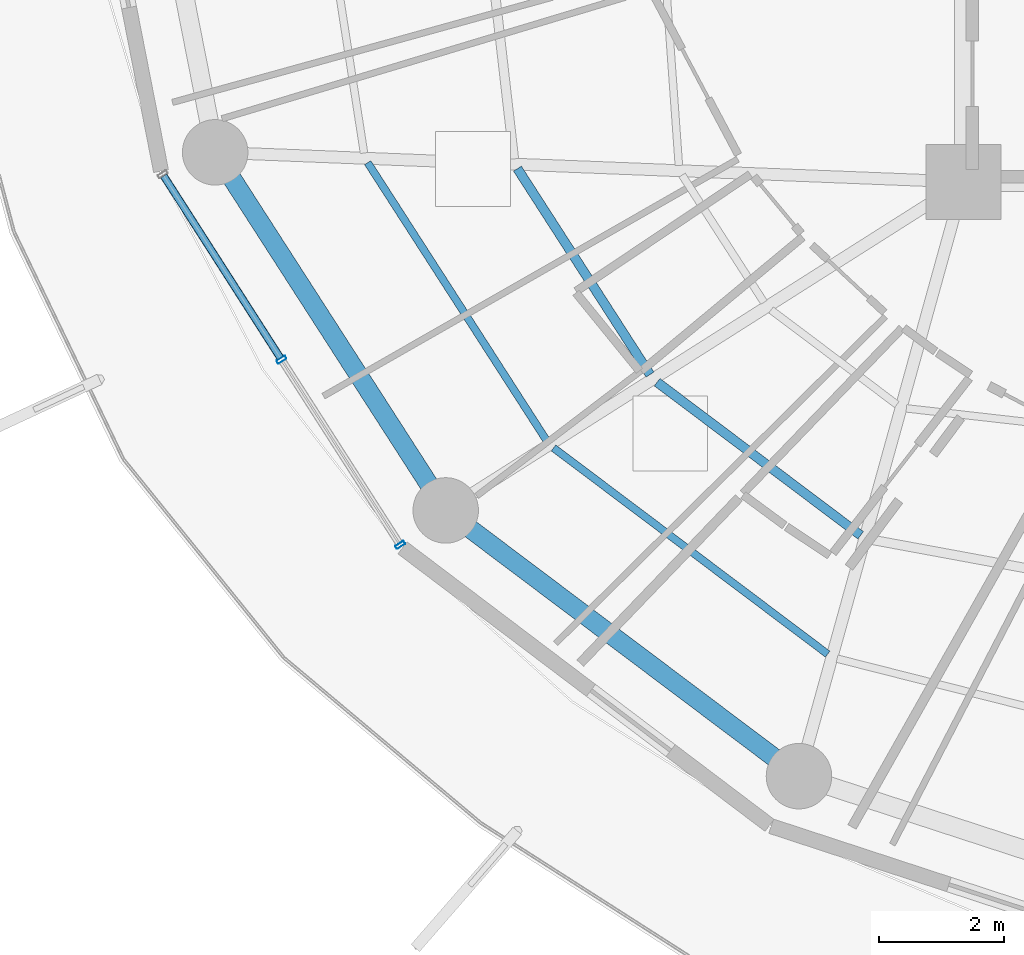
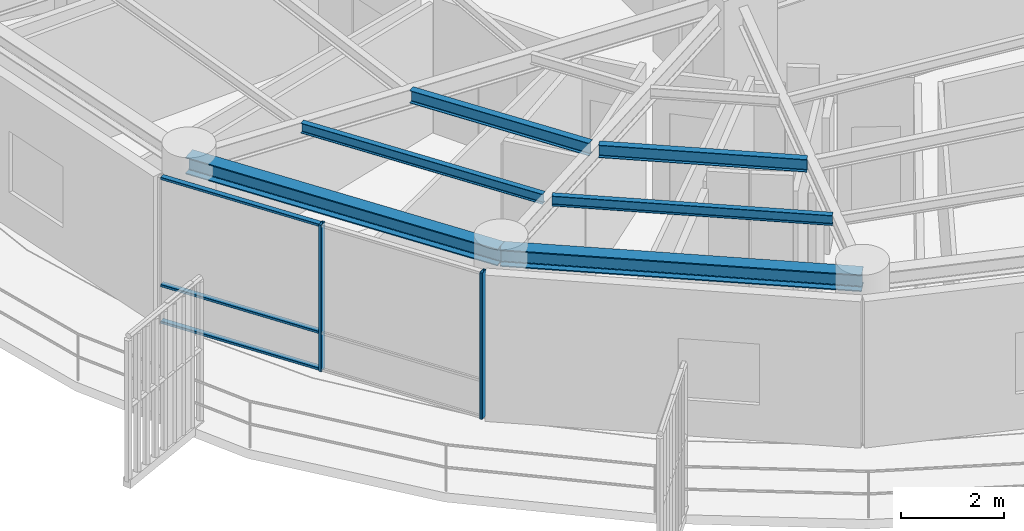
# One storey, part 2 of 31: 6 beams, 5 members, 1 element without a shape of its own.
"""IFC4 building model written with IfcOpenShell, lengths in metres."""

from ifc_helpers import new_model, si_unit, direction, frame, origin, origin_2d, place, context, subcontext, project, spatial, hollow_rectangle, i_section, extrude, material, layer, layer_set, material_profile, profile_set, type_object, element, aggregate, save


model = new_model("IFC4")

# Units and contexts
model_context = context("Model", 3, precision=1e-05, world=origin(), true_north=direction((0.0, 1.0)))
body_context = subcontext(model_context, "Body", "Model", "MODEL_VIEW")
ifc_project = project(units=[si_unit("LENGTHUNIT", "METRE"), si_unit("AREAUNIT", "SQUARE_METRE"), si_unit("VOLUMEUNIT", "CUBIC_METRE"), si_unit("PLANEANGLEUNIT", "RADIAN"), si_unit("MASSUNIT", "GRAM", prefix="KILO")], contexts=[model_context])

# Site, building, storey
site_placement = place(None, origin())
site = spatial("IfcSite", under=ifc_project, at=site_placement, CompositionType="ELEMENT")
building_placement = place(site_placement, origin())
building = spatial("IfcBuilding", under=site, at=building_placement, Name="Kelanora Arch Commons", CompositionType="ELEMENT")
storey_placement = place(building_placement, frame((0.0, 0.0, 200.699951171875)))
storey = spatial("IfcBuildingStorey", under=building, at=storey_placement, Name="L51", CompositionType="ELEMENT", Elevation=200.699951171875)

# Beams
ifc_material_1 = material(Name="Steel S355", Category="steel")
ifc_material_profile_1 = material_profile(ifc_material_1, i_section(OverallWidth=0.14990234375, OverallDepth=0.300048828125, WebThickness=0.007080078125, FlangeThickness=0.0107421875, FilletRadius=0.014892578125, at=origin_2d()), Name="IPE300")
ifc_profile_set_1 = profile_set([ifc_material_profile_1], Name="Steel S355")
beam_type_1 = type_object("IfcBeamType", Name="BM-JST-01", PredefinedType="JOIST", material=ifc_profile_set_1)
beam_1_placement = place(storey_placement, frame((58.847900390625, 51.213134765625, 3.340087890625), z_axis=(0.541411265892, -0.840757896879, 0.0), x_axis=(0.840757896879, 0.541411265892, 0.0)))
element("IfcBeam", 1, at=beam_1_placement, inside=storey, type_object=beam_type_1, Name="Secondary Chord Joist BJB-20 L51", PredefinedType="JOIST", context=body_context, shape_type="SweptSolid", body=[
    extrude(i_section(OverallWidth=0.14990234375, OverallDepth=0.300048828125, WebThickness=0.007080078125, FlangeThickness=0.0107421875, FilletRadius=0.014892578125, at=origin_2d()), origin(), (0.0, 0.0, 1.0), 3.92529296875),
])
beam_2_placement = place(storey_placement, frame((61.087158203125, 47.790283203125, 3.340087890625), z_axis=(0.799101708656, -0.601195857624, 0.0), x_axis=(0.601195857624, 0.799101708656, 0.0)))
element("IfcBeam", 2, at=beam_2_placement, inside=storey, type_object=beam_type_1, Name="Secondary Chord Joist BJB-22 L51", PredefinedType="JOIST", context=body_context, shape_type="SweptSolid", body=[
    extrude(i_section(OverallWidth=0.14990234375, OverallDepth=0.300048828125, WebThickness=0.007080078125, FlangeThickness=0.0107421875, FilletRadius=0.014892578125, at=origin_2d()), origin(), (0.0, 0.0, 1.0), 4.080810546875),
])
ifc_material_profile_2 = material_profile(ifc_material_1, i_section(OverallWidth=0.1201171875, OverallDepth=0.239990234375, WebThickness=0.006103515625, FlangeThickness=0.009765625, FilletRadius=0.014892578125, at=origin_2d()), Name="IPE240")
ifc_profile_set_2 = profile_set([ifc_material_profile_2], Name="Steel S355")
beam_type_2 = type_object("IfcBeamType", Name="BM-JST-02", PredefinedType="JOIST", material=ifc_profile_set_2)
beam_3_placement = place(storey_placement, frame((56.44873046875, 51.30810546875, 3.3701171875), z_axis=(0.541382492679, -0.840776424872, 0.0), x_axis=(0.840776424872, 0.541382492679, 0.0)))
element("IfcBeam", 3, at=beam_3_placement, inside=storey, type_object=beam_type_2, Name="Secondary Chord Joist BJC-20 L51", PredefinedType="JOIST", context=body_context, shape_type="SweptSolid", body=[
    extrude(i_section(OverallWidth=0.1201171875, OverallDepth=0.239990234375, WebThickness=0.006103515625, FlangeThickness=0.009765625, FilletRadius=0.014892578125, at=origin_2d()), origin(), (0.0, 0.0, 1.0), 5.29052734375),
])
beam_4_placement = place(storey_placement, frame((59.4267578125, 46.7373046875, 3.3701171875), z_axis=(0.799109197935, -0.601185902842, 0.0), x_axis=(0.601185902842, 0.799109197935, 0.0)))
element("IfcBeam", 4, at=beam_4_placement, inside=storey, type_object=beam_type_2, Name="Secondary Chord Joist BJC-22 L51", PredefinedType="JOIST", context=body_context, shape_type="SweptSolid", body=[
    extrude(i_section(OverallWidth=0.1201171875, OverallDepth=0.239990234375, WebThickness=0.006103515625, FlangeThickness=0.009765625, FilletRadius=0.014892578125, at=origin_2d()), origin(), (0.0, 0.0, 1.0), 5.497802734375),
])
ifc_material_profile_3 = material_profile(ifc_material_1, i_section(OverallWidth=0.300048828125, OverallDepth=0.39990234375, WebThickness=0.013427734375, FlangeThickness=0.02392578125, FilletRadius=0.027099609375, at=origin_2d()), Name="HEB400")
ifc_profile_set_3 = profile_set([ifc_material_profile_3], Name="Steel S355")
beam_type_3 = type_object("IfcBeamType", Name="BM-SPN-Z4", PredefinedType="SPANDREL", material=ifc_profile_set_3)
beam_5_placement = place(storey_placement, frame((54.00341796875, 51.474365234375, 3.2900390625), z_axis=(0.541364878868, -0.840787766281, 0.0), x_axis=(0.840787766281, 0.541364878868, 0.0)))
element("IfcBeam", 5, at=beam_5_placement, inside=storey, type_object=beam_type_3, Name="Perimeter Spandrel Beam BS-20 L51", PredefinedType="SPANDREL", context=body_context, shape_type="SweptSolid", body=[
    extrude(i_section(OverallWidth=0.300048828125, OverallDepth=0.39990234375, WebThickness=0.013427734375, FlangeThickness=0.02392578125, FilletRadius=0.027099609375, at=origin_2d()), origin(), (0.0, 0.0, 1.0), 6.825439453125),
])
beam_6_placement = place(storey_placement, frame((57.698486328125, 45.735595703125, 3.2900390625), z_axis=(0.799114211715, -0.60117923836, 0.0), x_axis=(0.60117923836, 0.799114211715, 0.0)))
element("IfcBeam", 6, at=beam_6_placement, inside=storey, type_object=beam_type_3, Name="Perimeter Spandrel Beam BS-22 L51", PredefinedType="SPANDREL", context=body_context, shape_type="SweptSolid", body=[
    extrude(i_section(OverallWidth=0.300048828125, OverallDepth=0.39990234375, WebThickness=0.013427734375, FlangeThickness=0.02392578125, FilletRadius=0.027099609375, at=origin_2d()), origin(), (0.0, 0.0, 1.0), 7.0849609375),
])

# Curtain wall, members
ifc_material_2 = material(Name="Terracotta ceramic-fritted low-E glass and aluminium", Category="masonry")
ifc_layer = layer(ifc_material_2, 0.175048828125)
ifc_layer_set = layer_set([ifc_layer], Name="Terracotta ceramic-fritted low-E glass and aluminium")
curtain_wall_type = type_object("IfcCurtainWallType", Name="CW-SYS-02", PredefinedType="NOTDEFINED", material=ifc_layer_set)
curtain_wall_placement = place(storey_placement, origin())
curtain_wall = element("IfcCurtainWall", 7, at=curtain_wall_placement, inside=storey, type_object=curtain_wall_type, Name="Unitised Curtain Wall L51-B10", PredefinedType="NOTDEFINED")
ifc_material_3 = material(Name="Powder-coated aluminium terracotta", Category="masonry")
ifc_material_profile_4 = material_profile(ifc_material_3, hollow_rectangle(XDim=0.159912109375, YDim=0.06005859375, WallThickness=0.0048828125, InnerFilletRadius=0.0048828125, OuterFilletRadius=0.010009765625, at=origin_2d()), Name="CWM160x60")
ifc_profile_set_4 = profile_set([ifc_material_profile_4], Name="Powder-coated aluminium terracotta")
member_type_1 = type_object("IfcMemberType", Name="CWM-STD", PredefinedType="MULLION", material=ifc_profile_set_4)
member_1_placement = place(storey_placement, frame((55.06640625, 48.15185546875, 0.0), z_axis=(0.0, 0.0, 1.0), x_axis=(0.84194757539, 0.539559338994, 0.0)))
member_1 = element("IfcMember", 8, at=member_1_placement, type_object=member_type_1, Name="CW-02 mullion 2", PredefinedType="MULLION", context=body_context, shape_type="SweptSolid", body=[
    extrude(hollow_rectangle(XDim=0.159912109375, YDim=0.06005859375, WallThickness=0.0048828125, InnerFilletRadius=0.0048828125, OuterFilletRadius=0.010009765625, at=origin_2d()), origin(), (0.0, 0.0, 1.0), 3.47509765625),
])
member_2_placement = place(storey_placement, frame((56.969482421875, 45.18212890625, 0.0), z_axis=(0.0, 0.0, 1.0), x_axis=(0.84194757539, 0.539559338994, 0.0)))
member_2 = element("IfcMember", 9, at=member_2_placement, type_object=member_type_1, Name="CW-02 mullion 3", PredefinedType="MULLION", context=body_context, shape_type="SweptSolid", body=[
    extrude(hollow_rectangle(XDim=0.159912109375, YDim=0.06005859375, WallThickness=0.0048828125, InnerFilletRadius=0.0048828125, OuterFilletRadius=0.010009765625, at=origin_2d()), origin(), (0.0, 0.0, 1.0), 3.47509765625),
])
ifc_material_profile_5 = material_profile(ifc_material_3, hollow_rectangle(XDim=0.1201171875, YDim=0.06005859375, WallThickness=0.0048828125, InnerFilletRadius=0.0048828125, OuterFilletRadius=0.010009765625, at=origin_2d()), Name="CWT120x60")
ifc_profile_set_5 = profile_set([ifc_material_profile_5], Name="Powder-coated aluminium terracotta")
member_type_2 = type_object("IfcMemberType", Name="CWT-STD", PredefinedType="USERDEFINED", material=ifc_profile_set_5)
member_3_placement = place(storey_placement, frame((53.17919921875, 51.096435546875, 0.030029296875), z_axis=(0.539579095642, -0.84193491408, 0.0), x_axis=(0.84193491408, 0.539579095642, 0.0)))
member_3 = element("IfcMember", 10, at=member_3_placement, type_object=member_type_2, Name="CW-02 transom 1.1", ObjectType="TRANSOM", PredefinedType="USERDEFINED", context=body_context, shape_type="SweptSolid", body=[
    extrude(hollow_rectangle(XDim=0.1201171875, YDim=0.06005859375, WallThickness=0.0048828125, InnerFilletRadius=0.0048828125, OuterFilletRadius=0.010009765625, at=origin_2d()), origin(), (0.0, 0.0, 1.0), 3.46728515625),
])
member_4_placement = place(storey_placement, frame((53.17919921875, 51.096435546875, 0.900146484375), z_axis=(0.539579095642, -0.84193491408, 0.0), x_axis=(0.84193491408, 0.539579095642, 0.0)))
member_4 = element("IfcMember", 11, at=member_4_placement, type_object=member_type_2, Name="CW-02 transom 1.2", ObjectType="TRANSOM", PredefinedType="USERDEFINED", context=body_context, shape_type="SweptSolid", body=[
    extrude(hollow_rectangle(XDim=0.1201171875, YDim=0.06005859375, WallThickness=0.0048828125, InnerFilletRadius=0.0048828125, OuterFilletRadius=0.010009765625, at=origin_2d()), origin(), (0.0, 0.0, 1.0), 3.46728515625),
])
member_5_placement = place(storey_placement, frame((53.17919921875, 51.096435546875, 3.445068359375), z_axis=(0.539579095642, -0.84193491408, 0.0), x_axis=(0.84193491408, 0.539579095642, 0.0)))
member_5 = element("IfcMember", 12, at=member_5_placement, type_object=member_type_2, Name="CW-02 transom 1.3", ObjectType="TRANSOM", PredefinedType="USERDEFINED", context=body_context, shape_type="SweptSolid", body=[
    extrude(hollow_rectangle(XDim=0.1201171875, YDim=0.06005859375, WallThickness=0.0048828125, InnerFilletRadius=0.0048828125, OuterFilletRadius=0.010009765625, at=origin_2d()), origin(), (0.0, 0.0, 1.0), 3.46728515625),
])
aggregate(curtain_wall, [member_1, member_2, member_3, member_4, member_5])

save(model, "model.ifc")
